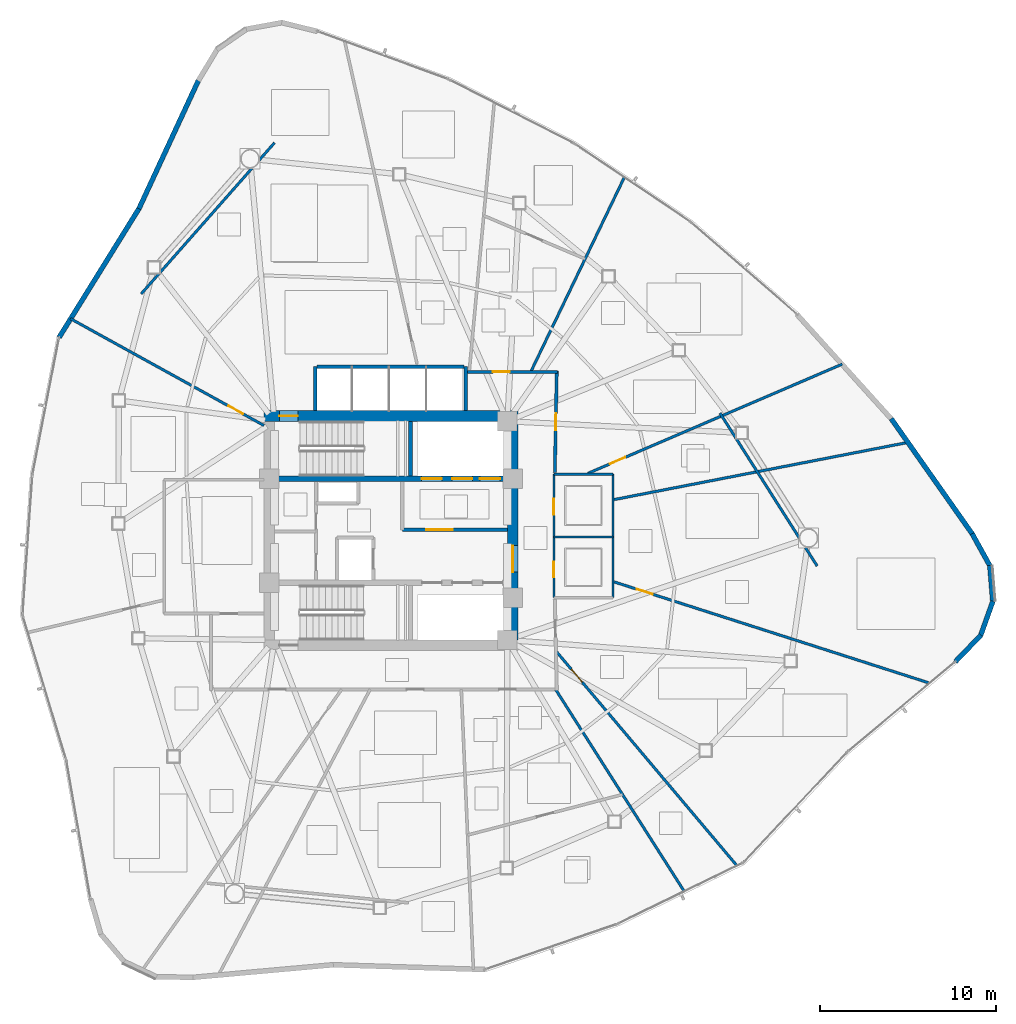
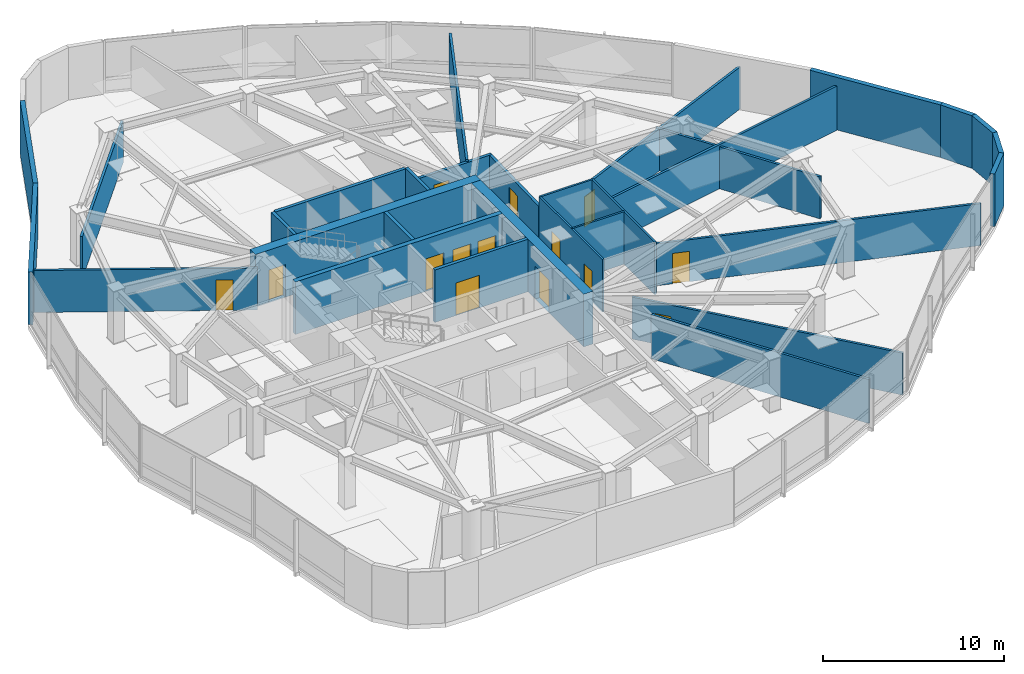
# One storey, part 12 of 17: 30 walls, 14 doors, 14 openings.
"""IFC4 building model written with IfcOpenShell, lengths in metres."""

from ifc_helpers import new_model, si_unit, direction, frame, frame_2d, origin, place, context, subcontext, project, spatial, rectangle, extrude, material, layer, layer_set, type_object, element, fill, save


model = new_model("IFC4")

# Units and contexts
model_context = context("Model", 3, precision=1e-05, world=origin(), true_north=direction((0.0, 1.0)))
body_context = subcontext(model_context, "Body", "Model", "MODEL_VIEW")
ifc_project = project(units=[si_unit("LENGTHUNIT", "METRE"), si_unit("AREAUNIT", "SQUARE_METRE"), si_unit("VOLUMEUNIT", "CUBIC_METRE"), si_unit("PLANEANGLEUNIT", "RADIAN"), si_unit("MASSUNIT", "GRAM", prefix="KILO")], contexts=[model_context])

# Site, building, storey
site_placement = place(None, origin())
site = spatial("IfcSite", under=ifc_project, at=site_placement, CompositionType="ELEMENT")
building_placement = place(site_placement, origin())
building = spatial("IfcBuilding", under=site, at=building_placement, Name="Tavelor Broadcast Tower", CompositionType="ELEMENT")
storey_placement = place(building_placement, frame((0.0, 0.0, 127.14990234375)))
storey = spatial("IfcBuildingStorey", under=building, at=storey_placement, Name="L29", CompositionType="ELEMENT", Elevation=127.14990234375)

# Wall, opening, door
ifc_material_1 = material(Name="Concrete C60/75", Category="concrete")
ifc_layer_1 = layer(ifc_material_1, 0.60009765625)
ifc_layer_set_1 = layer_set([ifc_layer_1], Name="Concrete C60/75")
wall_type_1 = type_object("IfcWallType", Name="Core Shear Wall 600 mm", PredefinedType="SHEAR", material=ifc_layer_set_1)
wall_1_placement = place(storey_placement, frame((42.800048828125, 51.5, 0.0), z_axis=(0.0, 0.0, 1.0), x_axis=(1.0, 0.0, 0.0)))
wall_1 = element("IfcWall", 1, at=wall_1_placement, inside=storey, type_object=wall_type_1, Name="L29 Central Core Shear Wall N", PredefinedType="SHEAR", context=body_context, shape_type="SweptSolid", body=[
    extrude(rectangle(XDim=14.39990234375, YDim=0.60009765625, at=frame_2d((7.199951171875, 0.0))), origin(), (0.0, 0.0, 1.0), 3.550048828125),
])
opening_1_placement = place(wall_1_placement, frame((0.8798828125, 0.0, 0.0)))
opening_1 = element("IfcOpeningElement", 2, at=opening_1_placement, cuts=wall_1, Name="Opening DR11", PredefinedType="OPENING", context=body_context, shape_type="SweptSolid", body=[
    extrude(rectangle(XDim=1.050048828125, YDim=2.199951171875, at=frame_2d((0.52490234375, 1.10009765625))), frame((0.0, 0.31005859375, 0.0), z_axis=(0.0, -1.0, 0.0), x_axis=(1.0, 0.0, 0.0)), (0.0, 0.0, 1.0), 0.6201171875),
])
ifc_material_2 = material(Name="Steel S355", Category="steel")
door_type_1 = type_object("IfcDoorType", Name="Stair Core Fire Escape Door 1050x2200", OperationType="NOTDEFINED", PredefinedType="DOOR", material=ifc_material_2)
door_1_placement = place(opening_1_placement, origin())
door_1 = element("IfcDoor", 3, at=door_1_placement, inside=storey, type_object=door_type_1, Name="L29 Stair ST1 Protected Exit Door", OperationType="SINGLE_SWING_LEFT", OverallHeight=2.199951171875, OverallWidth=1.050048828125, PredefinedType="DOOR", context=body_context, shape_type="SweptSolid", body=[
    extrude(rectangle(XDim=1.050048828125, YDim=2.199951171875, at=frame_2d((0.52490234375, 1.10009765625))), frame((0.0, 0.02490234375, 0.0), z_axis=(0.0, -1.0, 0.0), x_axis=(1.0, 0.0, 0.0)), (0.0, 0.0, 1.0), 0.050048828125),
])
fill(opening_1, door_1)

wall_2_placement = place(storey_placement, frame((56.89990234375, 38.800048828125, 0.0), z_axis=(0.0, 0.0, 1.0), x_axis=(0.0, 1.0, 0.0)))
wall_2 = element("IfcWall", 4, at=wall_2_placement, inside=storey, type_object=wall_type_1, Name="L29 Central Core Shear Wall E", PredefinedType="SHEAR", context=body_context, shape_type="SweptSolid", body=[
    extrude(rectangle(XDim=12.39990234375, YDim=0.60009765625, at=frame_2d((6.199951171875, 0.0))), origin(), (0.0, 0.0, 1.0), 3.550048828125),
])
opening_2_placement = place(wall_2_placement, frame((3.85009765625, 0.0, 0.0)))
opening_2 = element("IfcOpeningElement", 5, at=opening_2_placement, cuts=wall_2, Name="Opening DR14", PredefinedType="OPENING", context=body_context, shape_type="SweptSolid", body=[
    extrude(rectangle(XDim=1.5, YDim=2.199951171875, at=frame_2d((0.75, 1.10009765625))), frame((0.0, 0.31005859375, 0.0), z_axis=(0.0, -1.0, 0.0), x_axis=(1.0, 0.0, 0.0)), (0.0, 0.0, 1.0), 0.6201171875),
])
door_type_2 = type_object("IfcDoorType", Name="Firefighting Lobby Double Fire Door 1500x2200", OperationType="NOTDEFINED", PredefinedType="DOOR", material=ifc_material_2)
door_2_placement = place(opening_2_placement, origin())
door_2 = element("IfcDoor", 6, at=door_2_placement, inside=storey, type_object=door_type_2, Name="L29 Central Core Lobby Fire Door", OperationType="SINGLE_SWING_RIGHT", OverallHeight=2.199951171875, OverallWidth=1.5, PredefinedType="DOOR", context=body_context, shape_type="SweptSolid", body=[
    extrude(rectangle(XDim=1.5, YDim=2.199951171875, at=frame_2d((0.75, 1.10009765625))), frame((0.0, 0.02490234375, 0.0), z_axis=(0.0, -1.0, 0.0), x_axis=(1.0, 0.0, 0.0)), (0.0, 0.0, 1.0), 0.050048828125),
])
fill(opening_2, door_2)

# Wall, openings, doors
ifc_layer_2 = layer(ifc_material_1, 0.300048828125)
ifc_layer_set_2 = layer_set([ifc_layer_2], Name="Concrete C60/75")
wall_type_2 = type_object("IfcWallType", Name="Core Spine Shear Wall 300 mm C60", PredefinedType="SHEAR", material=ifc_layer_set_2)
wall_3_placement = place(storey_placement, frame((43.39990234375, 47.949951171875, 0.0), z_axis=(0.0, 0.0, 1.0), x_axis=(1.0, 0.0, 0.0)))
wall_3 = element("IfcWall", 7, at=wall_3_placement, inside=storey, type_object=wall_type_2, Name="L29 Central Core Shear Wall SP1", PredefinedType="SHEAR", context=body_context, shape_type="SweptSolid", body=[
    extrude(rectangle(XDim=13.2001953125, YDim=0.300048828125, at=frame_2d((6.60009765625, 0.0))), origin(), (0.0, 0.0, 1.0), 3.550048828125),
])
opening_3_placement = place(wall_3_placement, frame((8.344970703125, 0.0, 0.0)))
opening_3 = element("IfcOpeningElement", 8, at=opening_3_placement, cuts=wall_3, Name="Opening LD02", PredefinedType="OPENING", context=body_context, shape_type="SweptSolid", body=[
    extrude(rectangle(XDim=1.14990234375, YDim=2.199951171875, at=frame_2d((0.574951171875, 1.10009765625))), frame((0.0, 0.16015625, 0.0), z_axis=(0.0, -1.0, 0.0), x_axis=(1.0, 0.0, 0.0)), (0.0, 0.0, 1.0), 0.320068359375),
])
opening_4_placement = place(wall_3_placement, frame((10.06494140625, 0.0, 0.0)))
opening_4 = element("IfcOpeningElement", 9, at=opening_4_placement, cuts=wall_3, Name="Opening LD02", PredefinedType="OPENING", context=body_context, shape_type="SweptSolid", body=[
    extrude(rectangle(XDim=1.14990234375, YDim=2.199951171875, at=frame_2d((0.574951171875, 1.10009765625))), frame((0.0, 0.16015625, 0.0), z_axis=(0.0, -1.0, 0.0), x_axis=(1.0, 0.0, 0.0)), (0.0, 0.0, 1.0), 0.320068359375),
])
opening_5_placement = place(wall_3_placement, frame((11.64501953125, 0.0, 0.0)))
opening_5 = element("IfcOpeningElement", 10, at=opening_5_placement, cuts=wall_3, Name="Opening LD03", PredefinedType="OPENING", context=body_context, shape_type="SweptSolid", body=[
    extrude(rectangle(XDim=1.14990234375, YDim=2.199951171875, at=frame_2d((0.574951171875, 1.10009765625))), frame((0.0, 0.16015625, 0.0), z_axis=(0.0, -1.0, 0.0), x_axis=(1.0, 0.0, 0.0)), (0.0, 0.0, 1.0), 0.320068359375),
])
ifc_material_3 = material(Name="Reinforced Brushed Stainless Steel", Category="concrete")
door_type_3 = type_object("IfcDoorType", Name="Broadcast Goods Lift Sliding Landing Door 1250x2200", OperationType="NOTDEFINED", PredefinedType="DOOR", material=ifc_material_3)
door_3_placement = place(opening_5_placement, origin())
door_3 = element("IfcDoor", 11, at=door_3_placement, inside=storey, type_object=door_type_3, Name="L29 Lift SVL1 Sliding Landing Door", OperationType="SLIDING_TO_LEFT", OverallHeight=2.199951171875, OverallWidth=1.14990234375, PredefinedType="DOOR", context=body_context, shape_type="SweptSolid", body=[
    extrude(rectangle(XDim=1.14990234375, YDim=2.199951171875, at=frame_2d((0.574951171875, 1.10009765625))), frame((0.0, 0.02490234375, 0.0), z_axis=(0.0, -1.0, 0.0), x_axis=(1.0, 0.0, 0.0)), (0.0, 0.0, 1.0), 0.050048828125),
])
fill(opening_5, door_3)
ifc_material_4 = material(Name="Fire-Rated Stainless Steel", Category="steel")
door_type_4 = type_object("IfcDoorType", Name="Firefighting Lift Sliding Landing Door 1200x2200", OperationType="NOTDEFINED", PredefinedType="DOOR", material=ifc_material_4)
door_4_placement = place(opening_3_placement, origin())
door_4 = element("IfcDoor", 12, at=door_4_placement, inside=storey, type_object=door_type_4, Name="L29 Lift FFL1 Sliding Landing Door", OperationType="SLIDING_TO_LEFT", OverallHeight=2.199951171875, OverallWidth=1.14990234375, PredefinedType="DOOR", context=body_context, shape_type="SweptSolid", body=[
    extrude(rectangle(XDim=1.14990234375, YDim=2.199951171875, at=frame_2d((0.574951171875, 1.10009765625))), frame((0.0, 0.02490234375, 0.0), z_axis=(0.0, -1.0, 0.0), x_axis=(1.0, 0.0, 0.0)), (0.0, 0.0, 1.0), 0.050048828125),
])
fill(opening_3, door_4)
door_5_placement = place(opening_4_placement, origin())
door_5 = element("IfcDoor", 13, at=door_5_placement, inside=storey, type_object=door_type_4, Name="L29 Lift FFL2 Sliding Landing Door", OperationType="SLIDING_TO_LEFT", OverallHeight=2.199951171875, OverallWidth=1.14990234375, PredefinedType="DOOR", context=body_context, shape_type="SweptSolid", body=[
    extrude(rectangle(XDim=1.14990234375, YDim=2.199951171875, at=frame_2d((0.574951171875, 1.10009765625))), frame((0.0, 0.02490234375, 0.0), z_axis=(0.0, -1.0, 0.0), x_axis=(1.0, 0.0, 0.0)), (0.0, 0.0, 1.0), 0.050048828125),
])
fill(opening_4, door_5)

# Wall, opening, door
ifc_material_5 = material(Name="Calcium Silicate Fire Board 180 mm", Category="gypsum")
ifc_layer_3 = layer(ifc_material_5, 0.179931640625)
ifc_layer_set_3 = layer_set([ifc_layer_3], Name="Calcium Silicate Fire Board 180 mm")
wall_type_3 = type_object("IfcWallType", Name="Fire-Rated Corridor Partition Wall 180 mm", PredefinedType="PARTITIONING", material=ifc_layer_set_3)
wall_4_placement = place(storey_placement, frame((54.300048828125, 54.0, 0.0), z_axis=(0.0, 0.0, 1.0), x_axis=(1.0, 0.0, 0.0)))
wall_4 = element("IfcWall", 14, at=wall_4_placement, inside=storey, type_object=wall_type_3, Name="L29 Corridor Compartment Wall 01", PredefinedType="PARTITIONING", context=body_context, shape_type="SweptSolid", body=[
    extrude(rectangle(XDim=5.14990234375, YDim=0.179931640625, at=frame_2d((2.574951171875, 0.0))), origin(), (0.0, 0.0, 1.0), 2.835205078125),
])
opening_6_placement = place(wall_4_placement, frame((1.477294921875, 0.0, 0.0)))
opening_6 = element("IfcOpeningElement", 15, at=opening_6_placement, cuts=wall_4, Name="Opening DR18", PredefinedType="OPENING", context=body_context, shape_type="SweptSolid", body=[
    extrude(rectangle(XDim=0.949951171875, YDim=2.050048828125, at=frame_2d((0.47509765625, 1.02490234375))), frame((0.0, 0.10009765625, 0.0), z_axis=(0.0, -1.0, 0.0), x_axis=(1.0, 0.0, 0.0)), (0.0, 0.0, 1.0), 0.199951171875),
])
ifc_material_6 = material(Name="Timber Solid Core Hardwood", Category="wood")
door_type_5 = type_object("IfcDoorType", Name="Corridor Rated Compartment Door 950x2050", OperationType="NOTDEFINED", PredefinedType="DOOR", material=ifc_material_6)
door_6_placement = place(opening_6_placement, origin())
door_6 = element("IfcDoor", 16, at=door_6_placement, inside=storey, type_object=door_type_5, Name="L29 Studio Foley Workshop Door R14", OperationType="SINGLE_SWING_RIGHT", OverallHeight=2.050048828125, OverallWidth=0.949951171875, PredefinedType="DOOR", context=body_context, shape_type="SweptSolid", body=[
    extrude(rectangle(XDim=0.949951171875, YDim=2.050048828125, at=frame_2d((0.47509765625, 1.02490234375))), frame((0.0, 0.02490234375, 0.0), z_axis=(0.0, -1.0, 0.0), x_axis=(1.0, 0.0, 0.0)), (0.0, 0.0, 1.0), 0.050048828125),
])
fill(opening_6, door_6)

wall_5_placement = place(storey_placement, frame((59.40087890625, 54.050048828125, 0.0), z_axis=(0.0, 0.0, 1.0), x_axis=(-0.019103170983, -0.999817517779, 0.0)))
wall_5 = element("IfcWall", 17, at=wall_5_placement, inside=storey, type_object=wall_type_3, Name="L29 Corridor Compartment Wall 02", PredefinedType="PARTITIONING", context=body_context, shape_type="SweptSolid", body=[
    extrude(rectangle(XDim=5.7509765625, YDim=0.179931640625, at=frame_2d((2.87548828125, 0.0))), origin(), (0.0, 0.0, 1.0), 2.835205078125),
])
opening_7_placement = place(wall_5_placement, frame((2.400390625, 0.0, 0.0)))
opening_7 = element("IfcOpeningElement", 18, at=opening_7_placement, cuts=wall_5, Name="Opening DR18", PredefinedType="OPENING", context=body_context, shape_type="SweptSolid", body=[
    extrude(rectangle(XDim=0.949951171875, YDim=2.050048828125, at=frame_2d((0.47509765625, 1.02490234375))), frame((0.0, 0.10009765625, 0.0), z_axis=(0.0, -1.0, 0.0), x_axis=(1.0, 0.0, 0.0)), (0.0, 0.0, 1.0), 0.199951171875),
])
door_7_placement = place(opening_7_placement, origin())
door_7 = element("IfcDoor", 19, at=door_7_placement, inside=storey, type_object=door_type_5, Name="L29 Editorial Huddle Room Door R10", OperationType="SINGLE_SWING_LEFT", OverallHeight=2.050048828125, OverallWidth=0.949951171875, PredefinedType="DOOR", context=body_context, shape_type="SweptSolid", body=[
    extrude(rectangle(XDim=0.949951171875, YDim=2.050048828125, at=frame_2d((0.47509765625, 1.02490234375))), frame((0.0, 0.02490234375, 0.0), z_axis=(0.0, -1.0, 0.0), x_axis=(1.0, 0.0, 0.0)), (0.0, 0.0, 1.0), 0.050048828125),
])
fill(opening_7, door_7)

# Walls
ifc_material_7 = material(Name="Precast Concrete C40/50", Category="concrete")
ifc_layer_4 = layer(ifc_material_7, 0.280029296875)
ifc_layer_set_4 = layer_set([ifc_layer_4], Name="Precast Concrete C40/50")
wall_type_4 = type_object("IfcWallType", Name="Insulated Precast Terracotta Facade Wall 280 mm", PredefinedType="STANDARD", material=ifc_layer_set_4)
wall_6_placement = place(storey_placement, frame((39.0869140625, 70.5283203125, 0.0), z_axis=(0.0, 0.0, 1.0), x_axis=(-0.420650525929, -0.907222759324, 0.0)))
element("IfcWall", 20, at=wall_6_placement, inside=storey, type_object=wall_type_4, Name="L29 Rounded Corner Structural Cladding Pier 05", PredefinedType="STANDARD", context=body_context, shape_type="SweptSolid", body=[
    extrude(rectangle(XDim=8.01806640625, YDim=0.280029296875, at=frame_2d((4.009033203125, 0.0))), origin(), (0.0, 0.0, 1.0), 3.550048828125),
])
wall_7_placement = place(storey_placement, frame((35.728515625, 63.280517578125, 0.0), z_axis=(0.0, 0.0, 1.0), x_axis=(-0.526853741448, -0.849955960696, 0.0)))
element("IfcWall", 21, at=wall_7_placement, inside=storey, type_object=wall_type_4, Name="L29 Rounded Corner Structural Cladding Pier 06", PredefinedType="STANDARD", context=body_context, shape_type="SweptSolid", body=[
    extrude(rectangle(XDim=8.6201171875, YDim=0.280029296875, at=frame_2d((4.31005859375, 0.0))), origin(), (0.0, 0.0, 1.0), 3.550048828125),
])
wall_8_placement = place(storey_placement, frame((82.000244140625, 37.576171875, 0.0), z_axis=(0.0, 0.0, 1.0), x_axis=(0.694016075056, 0.719959504114, 0.0)))
element("IfcWall", 22, at=wall_8_placement, inside=storey, type_object=wall_type_4, Name="L29 Rounded Corner Structural Cladding Pier 21", PredefinedType="STANDARD", context=body_context, shape_type="SweptSolid", body=[
    extrude(rectangle(XDim=2.079833984375, YDim=0.280029296875, at=frame_2d((1.0400390625, 0.0))), origin(), (0.0, 0.0, 1.0), 3.550048828125),
])
for number, where, z_axis, x_axis, name in (
    (23, (83.42822265625, 39.048583984375, 0.0), (0.0, 0.0, 1.0), (0.336306485304, 0.941752593807, 0.0), "L29 Rounded Corner Structural Cladding Pier 22"),
    (24, (84.119873046875, 40.96728515625, 0.0), (0.0, 0.0, 1.0), (-0.081101141462, 0.996705876803, 0.0), "L29 Rounded Corner Structural Cladding Pier 23"),
):
    element("IfcWall", number, at=place(storey_placement, frame(where, z_axis=z_axis, x_axis=x_axis)), inside=storey, type_object=wall_type_4, Name=name, PredefinedType="STANDARD", context=body_context, shape_type="SweptSolid", body=[
        extrude(rectangle(XDim=2.068115234375, YDim=0.280029296875, at=frame_2d((1.0341796875, 0.0))), origin(), (0.0, 0.0, 1.0), 3.550048828125),
    ])
wall_9_placement = place(storey_placement, frame((83.960693359375, 43.00048828125, 0.0), z_axis=(0.0, 0.0, 1.0), x_axis=(-0.484055677681, 0.875037199726, 0.0)))
element("IfcWall", 25, at=wall_9_placement, inside=storey, type_object=wall_type_4, Name="L29 Rounded Corner Structural Cladding Pier 24", PredefinedType="STANDARD", context=body_context, shape_type="SweptSolid", body=[
    extrude(rectangle(XDim=2.090576171875, YDim=0.280029296875, at=frame_2d((1.04541015625, 0.0))), origin(), (0.0, 0.0, 1.0), 3.550048828125),
])
wall_10_placement = place(storey_placement, frame((82.964599609375, 44.804443359375, 0.0), z_axis=(0.0, 0.0, 1.0), x_axis=(-0.575334668423, 0.817918100613, 0.0)))
element("IfcWall", 26, at=wall_10_placement, inside=storey, type_object=wall_type_4, Name="L29 Rounded Corner Structural Cladding Pier 25", PredefinedType="STANDARD", context=body_context, shape_type="SweptSolid", body=[
    extrude(rectangle(XDim=8.0009765625, YDim=0.280029296875, at=frame_2d((4.00048828125, 0.0))), origin(), (0.0, 0.0, 1.0), 3.550048828125),
])
ifc_material_8 = material(Name="Gypsum Acoustic Plasterboard 150 mm", Category="gypsum")
ifc_layer_5 = layer(ifc_material_8, 0.14990234375)
ifc_layer_set_5 = layer_set([ifc_layer_5], Name="Gypsum Acoustic Plasterboard 150 mm")
wall_type_5 = type_object("IfcWallType", Name="Interior Acoustic Partition Wall 150 mm", PredefinedType="PARTITIONING", material=ifc_layer_set_5)
wall_11_placement = place(storey_placement, frame((43.399658203125, 66.988525390625, 0.0), z_axis=(0.0, 0.0, 1.0), x_axis=(-0.661622343701, -0.749837231881, 0.0)))
element("IfcWall", 27, at=wall_11_placement, inside=storey, type_object=wall_type_5, Name="L29 Corner Tube Brace Furring Wall 1", PredefinedType="PARTITIONING", context=body_context, shape_type="SweptSolid", body=[
    extrude(rectangle(XDim=11.42724609375, YDim=0.14990234375, at=frame_2d((5.713623046875, 0.0))), origin(), (0.0, 0.0, 1.0), 2.835205078125),
])
wall_12_placement = place(storey_placement, frame((74.16259765625, 42.9931640625, 0.0), z_axis=(0.0, 0.0, 1.0), x_axis=(-0.53628142437, 0.844039237166, 0.0)))
element("IfcWall", 28, at=wall_12_placement, inside=storey, type_object=wall_type_5, Name="L29 Corner Tube Brace Furring Wall 3", PredefinedType="PARTITIONING", context=body_context, shape_type="SweptSolid", body=[
    extrude(rectangle(XDim=10.266845703125, YDim=0.14990234375, at=frame_2d((5.13330078125, 0.0))), origin(), (0.0, 0.0, 1.0), 2.835205078125),
])
wall_13_placement = place(storey_placement, frame((59.33349609375, 36.0, 0.0), z_axis=(0.0, 0.0, 1.0), x_axis=(0.537304584645, -0.84338827554, 0.0)))
element("IfcWall", 29, at=wall_13_placement, inside=storey, type_object=wall_type_5, Name="L29 Radial Compartment Wall 01", PredefinedType="PARTITIONING", context=body_context, shape_type="SweptSolid", body=[
    extrude(rectangle(XDim=13.582763671875, YDim=0.14990234375, at=frame_2d((6.79150390625, 0.0))), origin(), (0.0, 0.0, 1.0), 2.97509765625),
])

# Wall, opening, door
wall_14_placement = place(storey_placement, frame((59.353515625, 38.176513671875, 0.0), z_axis=(0.0, 0.0, 1.0), x_axis=(0.644617104297, -0.764505584576, 0.0)))
wall_14 = element("IfcWall", 30, at=wall_14_placement, inside=storey, type_object=wall_type_5, Name="L29 Radial Compartment Wall 02", PredefinedType="PARTITIONING", context=body_context, shape_type="SweptSolid", body=[
    extrude(rectangle(XDim=15.9267578125, YDim=0.14990234375, at=frame_2d((7.96337890625, 0.0))), origin(), (0.0, 0.0, 1.0), 2.835205078125),
])
opening_8_placement = place(wall_14_placement, frame((1.35009765625, 0.0, 0.0)))
opening_8 = element("IfcOpeningElement", 31, at=opening_8_placement, cuts=wall_14, Name="Opening DR18", PredefinedType="OPENING", context=body_context, shape_type="SweptSolid", body=[
    extrude(rectangle(XDim=0.949951171875, YDim=2.050048828125, at=frame_2d((0.47509765625, 1.02490234375))), frame((0.0, 0.0849609375, 0.0), z_axis=(0.0, -1.0, 0.0), x_axis=(1.0, 0.0, 0.0)), (0.0, 0.0, 1.0), 0.169921875),
])
door_8_placement = place(opening_8_placement, origin())
door_8 = element("IfcDoor", 32, at=door_8_placement, inside=storey, type_object=door_type_5, Name="L29 Suite Connecting Door 1", OperationType="SINGLE_SWING_LEFT", OverallHeight=2.050048828125, OverallWidth=0.949951171875, PredefinedType="DOOR", context=body_context, shape_type="SweptSolid", body=[
    extrude(rectangle(XDim=0.949951171875, YDim=2.050048828125, at=frame_2d((0.47509765625, 1.02490234375))), frame((0.0, 0.02490234375, 0.0), z_axis=(0.0, -1.0, 0.0), x_axis=(1.0, 0.0, 0.0)), (0.0, 0.0, 1.0), 0.050048828125),
])
fill(opening_8, door_8)

wall_15_placement = place(storey_placement, frame((62.64990234375, 42.096435546875, 0.0), z_axis=(0.0, 0.0, 1.0), x_axis=(0.952197713862, -0.305482427834, 0.0)))
wall_15 = element("IfcWall", 33, at=wall_15_placement, inside=storey, type_object=wall_type_5, Name="L29 Radial Compartment Wall 03", PredefinedType="PARTITIONING", context=body_context, shape_type="SweptSolid", body=[
    extrude(rectangle(XDim=18.80029296875, YDim=0.14990234375, at=frame_2d((9.400146484375, 0.0))), origin(), (0.0, 0.0, 1.0), 2.835205078125),
])
opening_9_placement = place(wall_15_placement, frame((1.35009765625, 0.0, 0.0)))
opening_9 = element("IfcOpeningElement", 34, at=opening_9_placement, cuts=wall_15, Name="Opening DR18", PredefinedType="OPENING", context=body_context, shape_type="SweptSolid", body=[
    extrude(rectangle(XDim=0.949951171875, YDim=2.050048828125, at=frame_2d((0.47509765625, 1.02490234375))), frame((0.0, 0.0849609375, 0.0), z_axis=(0.0, -1.0, 0.0), x_axis=(1.0, 0.0, 0.0)), (0.0, 0.0, 1.0), 0.169921875),
])
door_9_placement = place(opening_9_placement, origin())
door_9 = element("IfcDoor", 35, at=door_9_placement, inside=storey, type_object=door_type_5, Name="L29 Suite Connecting Door 12", OperationType="SINGLE_SWING_RIGHT", OverallHeight=2.050048828125, OverallWidth=0.949951171875, PredefinedType="DOOR", context=body_context, shape_type="SweptSolid", body=[
    extrude(rectangle(XDim=0.949951171875, YDim=2.050048828125, at=frame_2d((0.47509765625, 1.02490234375))), frame((0.0, 0.02490234375, 0.0), z_axis=(0.0, -1.0, 0.0), x_axis=(1.0, 0.0, 0.0)), (0.0, 0.0, 1.0), 0.050048828125),
])
fill(opening_9, door_9)

# Wall
wall_16_placement = place(storey_placement, frame((62.64990234375, 46.760498046875, 0.0), z_axis=(0.0, 0.0, 1.0), x_axis=(0.981595107756, 0.190973936517, 0.0)))
element("IfcWall", 36, at=wall_16_placement, inside=storey, type_object=wall_type_5, Name="L29 Radial Compartment Wall 04", PredefinedType="PARTITIONING", context=body_context, shape_type="SweptSolid", body=[
    extrude(rectangle(XDim=16.982177734375, YDim=0.14990234375, at=frame_2d((8.4912109375, 0.0))), origin(), (0.0, 0.0, 1.0), 2.97509765625),
])

# Wall, opening, door
wall_17_placement = place(storey_placement, frame((61.16943359375, 48.25, 0.0), z_axis=(0.0, 0.0, 1.0), x_axis=(0.918885604768, 0.394524074488, 0.0)))
wall_17 = element("IfcWall", 37, at=wall_17_placement, inside=storey, type_object=wall_type_5, Name="L29 Radial Compartment Wall 05", PredefinedType="PARTITIONING", context=body_context, shape_type="SweptSolid", body=[
    extrude(rectangle(XDim=15.68603515625, YDim=0.14990234375, at=frame_2d((7.843017578125, 0.0))), origin(), (0.0, 0.0, 1.0), 2.835205078125),
])
opening_10_placement = place(wall_17_placement, frame((1.35009765625, 0.0, 0.0)))
opening_10 = element("IfcOpeningElement", 38, at=opening_10_placement, cuts=wall_17, Name="Opening DR18", PredefinedType="OPENING", context=body_context, shape_type="SweptSolid", body=[
    extrude(rectangle(XDim=0.949951171875, YDim=2.050048828125, at=frame_2d((0.47509765625, 1.02490234375))), frame((0.0, 0.0849609375, 0.0), z_axis=(0.0, -1.0, 0.0), x_axis=(1.0, 0.0, 0.0)), (0.0, 0.0, 1.0), 0.169921875),
])
door_10_placement = place(opening_10_placement, origin())
door_10 = element("IfcDoor", 39, at=door_10_placement, inside=storey, type_object=door_type_5, Name="L29 Suite Connecting Door 11", OperationType="SINGLE_SWING_LEFT", OverallHeight=2.050048828125, OverallWidth=0.949951171875, PredefinedType="DOOR", context=body_context, shape_type="SweptSolid", body=[
    extrude(rectangle(XDim=0.949951171875, YDim=2.050048828125, at=frame_2d((0.47509765625, 1.02490234375))), frame((0.0, 0.02490234375, 0.0), z_axis=(0.0, -1.0, 0.0), x_axis=(1.0, 0.0, 0.0)), (0.0, 0.0, 1.0), 0.050048828125),
])
fill(opening_10, door_10)

# Wall
wall_18_placement = place(storey_placement, frame((57.92724609375, 54.0, 0.0), z_axis=(0.0, 0.0, 1.0), x_axis=(0.433312802005, 0.901243593941, 0.0)))
element("IfcWall", 40, at=wall_18_placement, inside=storey, type_object=wall_type_5, Name="L29 Radial Compartment Wall 06", PredefinedType="PARTITIONING", context=body_context, shape_type="SweptSolid", body=[
    extrude(rectangle(XDim=12.25, YDim=0.14990234375, at=frame_2d((6.125, 0.0))), origin(), (0.0, 0.0, 1.0), 2.97509765625),
])

# Wall, opening, door
wall_19_placement = place(storey_placement, frame((42.800048828125, 50.962890625, 0.0), z_axis=(0.0, 0.0, 1.0), x_axis=(-0.875434937419, 0.483335980811, 0.0)))
wall_19 = element("IfcWall", 41, at=wall_19_placement, inside=storey, type_object=wall_type_5, Name="L29 Radial Compartment Wall 09", PredefinedType="PARTITIONING", context=body_context, shape_type="SweptSolid", body=[
    extrude(rectangle(XDim=12.52587890625, YDim=0.14990234375, at=frame_2d((6.262939453125, 0.0))), origin(), (0.0, 0.0, 1.0), 2.835205078125),
])
opening_11_placement = place(wall_19_placement, frame((1.35009765625, 0.0, 0.0)))
opening_11 = element("IfcOpeningElement", 42, at=opening_11_placement, cuts=wall_19, Name="Opening DR18", PredefinedType="OPENING", context=body_context, shape_type="SweptSolid", body=[
    extrude(rectangle(XDim=0.949951171875, YDim=2.050048828125, at=frame_2d((0.47509765625, 1.02490234375))), frame((0.0, 0.0849609375, 0.0), z_axis=(0.0, -1.0, 0.0), x_axis=(1.0, 0.0, 0.0)), (0.0, 0.0, 1.0), 0.169921875),
])
door_11_placement = place(opening_11_placement, origin())
door_11 = element("IfcDoor", 43, at=door_11_placement, inside=storey, type_object=door_type_5, Name="L29 Suite Connecting Door 7", OperationType="SINGLE_SWING_LEFT", OverallHeight=2.050048828125, OverallWidth=0.949951171875, PredefinedType="DOOR", context=body_context, shape_type="SweptSolid", body=[
    extrude(rectangle(XDim=0.949951171875, YDim=2.050048828125, at=frame_2d((0.47509765625, 1.02490234375))), frame((0.0, 0.02490234375, 0.0), z_axis=(0.0, -1.0, 0.0), x_axis=(1.0, 0.0, 0.0)), (0.0, 0.0, 1.0), 0.050048828125),
])
fill(opening_11, door_11)

# Walls
ifc_material_9 = material(Name="Concrete Blockwork 200 mm", Category="masonry")
ifc_layer_6 = layer(ifc_material_9, 0.199951171875)
ifc_layer_set_6 = layer_set([ifc_layer_6], Name="Concrete Blockwork 200 mm")
wall_type_6 = type_object("IfcWallType", Name="Lift Hoistway Rated Front Wall 200 mm", PredefinedType="PARTITIONING", material=ifc_layer_set_6)
wall_20_placement = place(storey_placement, frame((45.820068359375, 54.300048828125, 0.0), z_axis=(0.0, 0.0, 1.0), x_axis=(1.0, 0.0, 0.0)))
element("IfcWall", 44, at=wall_20_placement, inside=storey, type_object=wall_type_6, Name="L29 High-Rise Lift Hoistway Front Wall", PredefinedType="PARTITIONING", context=body_context, shape_type="SweptSolid", body=[
    extrude(rectangle(XDim=8.309814453125, YDim=0.199951171875, at=frame_2d((4.15478515625, 0.0))), origin(), (0.0, 0.0, 1.0), 3.550048828125),
])
ifc_layer_7 = layer(ifc_material_9, 0.199951171875)
ifc_layer_set_7 = layer_set([ifc_layer_7], Name="Concrete Blockwork 200 mm")
wall_type_7 = type_object("IfcWallType", Name="Lift and Riser Shaft Enclosure Wall 200 mm", PredefinedType="PARTITIONING", material=ifc_layer_set_7)
for number, where, z_axis, x_axis, name in (
    (45, (45.699951171875, 51.800048828125, 0.0), (0.0, 0.0, 1.0), (0.0, 1.0, 0.0), "L29 High-Rise Lift Shaft West Wall"),
    (46, (54.25, 51.800048828125, 0.0), (0.0, 0.0, 1.0), (0.0, 1.0, 0.0), "L29 High-Rise Lift Shaft East Wall"),
):
    element("IfcWall", number, at=place(storey_placement, frame(where, z_axis=z_axis, x_axis=x_axis)), inside=storey, type_object=wall_type_7, Name=name, PredefinedType="PARTITIONING", context=body_context, shape_type="SweptSolid", body=[
        extrude(rectangle(XDim=2.5, YDim=0.199951171875, at=frame_2d((1.25, 0.0))), origin(), (0.0, 0.0, 1.0), 3.550048828125),
    ])

# Wall, opening, door
wall_21_placement = place(storey_placement, frame((50.64990234375, 45.050048828125, 0.0), z_axis=(0.0, 0.0, 1.0), x_axis=(1.0, 0.0, 0.0)))
wall_21 = element("IfcWall", 47, at=wall_21_placement, inside=storey, type_object=wall_type_7, Name="L29 Firefighting Lobby South Wall", PredefinedType="PARTITIONING", context=body_context, shape_type="SweptSolid", body=[
    extrude(rectangle(XDim=5.9501953125, YDim=0.199951171875, at=frame_2d((2.97509765625, 0.0))), origin(), (0.0, 0.0, 1.0), 3.550048828125),
])
opening_12_placement = place(wall_21_placement, frame((1.35009765625, 0.0, 0.0)))
opening_12 = element("IfcOpeningElement", 48, at=opening_12_placement, cuts=wall_21, Name="Opening DR14", PredefinedType="OPENING", context=body_context, shape_type="SweptSolid", body=[
    extrude(rectangle(XDim=1.5, YDim=2.199951171875, at=frame_2d((0.75, 1.10009765625))), frame((0.0, 0.10986328125, 0.0), z_axis=(0.0, -1.0, 0.0), x_axis=(1.0, 0.0, 0.0)), (0.0, 0.0, 1.0), 0.219970703125),
])
door_12_placement = place(opening_12_placement, origin())
door_12 = element("IfcDoor", 49, at=door_12_placement, inside=storey, type_object=door_type_2, Name="L29 Firefighting Lobby Compartment Door", OperationType="SINGLE_SWING_LEFT", OverallHeight=2.199951171875, OverallWidth=1.5, PredefinedType="DOOR", context=body_context, shape_type="SweptSolid", body=[
    extrude(rectangle(XDim=1.5, YDim=2.199951171875, at=frame_2d((0.75, 1.10009765625))), frame((0.0, 0.02490234375, 0.0), z_axis=(0.0, -1.0, 0.0), x_axis=(1.0, 0.0, 0.0)), (0.0, 0.0, 1.0), 0.050048828125),
])
fill(opening_12, door_12)

# Wall, openings, doors
ifc_material_10 = material(Name="Moisture-Resistant Plasterboard 120 mm", Category="gypsum")
ifc_layer_8 = layer(ifc_material_10, 0.1201171875)
ifc_layer_set_8 = layer_set([ifc_layer_8], Name="Moisture-Resistant Plasterboard 120 mm")
wall_type_8 = type_object("IfcWallType", Name="Moisture-Resistant Wet-Room Partition 120 mm", PredefinedType="PARTITIONING", material=ifc_layer_set_8)
wall_22_placement = place(storey_placement, frame((59.239990234375, 41.199951171875, 0.0), z_axis=(0.0, 0.0, 1.0), x_axis=(0.0, 1.0, 0.0)))
wall_22 = element("IfcWall", 50, at=wall_22_placement, inside=storey, type_object=wall_type_8, Name="L29 Floor Washrooms West Wall", PredefinedType="PARTITIONING", context=body_context, shape_type="SweptSolid", body=[
    extrude(rectangle(XDim=7.0, YDim=0.1201171875, at=frame_2d((3.5, 0.0))), origin(), (0.0, 0.0, 1.0), 3.550048828125),
])
opening_13_placement = place(wall_22_placement, frame((1.14990234375, 0.0, 0.0)))
opening_13 = element("IfcOpeningElement", 51, at=opening_13_placement, cuts=wall_22, Name="Opening DR32", PredefinedType="OPENING", context=body_context, shape_type="SweptSolid", body=[
    extrude(rectangle(XDim=0.89990234375, YDim=2.050048828125, at=frame_2d((0.449951171875, 1.02490234375))), frame((0.0, 0.070068359375, 0.0), z_axis=(0.0, -1.0, 0.0), x_axis=(1.0, 0.0, 0.0)), (0.0, 0.0, 1.0), 0.14013671875),
])
opening_14_placement = place(wall_22_placement, frame((4.699951171875, 0.0, 0.0)))
opening_14 = element("IfcOpeningElement", 52, at=opening_14_placement, cuts=wall_22, Name="Opening DR32", PredefinedType="OPENING", context=body_context, shape_type="SweptSolid", body=[
    extrude(rectangle(XDim=0.89990234375, YDim=2.050048828125, at=frame_2d((0.449951171875, 1.02490234375))), frame((0.0, 0.070068359375, 0.0), z_axis=(0.0, -1.0, 0.0), x_axis=(1.0, 0.0, 0.0)), (0.0, 0.0, 1.0), 0.14013671875),
])
door_type_6 = type_object("IfcDoorType", Name="Accessible Washroom Door 900x2050", OperationType="NOTDEFINED", PredefinedType="DOOR", material=ifc_material_6)
door_13_placement = place(opening_13_placement, origin())
door_13 = element("IfcDoor", 53, at=door_13_placement, inside=storey, type_object=door_type_6, Name="L29 Accessible WC Door", OperationType="SINGLE_SWING_LEFT", OverallHeight=2.050048828125, OverallWidth=0.89990234375, PredefinedType="DOOR", context=body_context, shape_type="SweptSolid", body=[
    extrude(rectangle(XDim=0.89990234375, YDim=2.050048828125, at=frame_2d((0.449951171875, 1.02490234375))), frame((0.0, 0.02490234375, 0.0), z_axis=(0.0, -1.0, 0.0), x_axis=(1.0, 0.0, 0.0)), (0.0, 0.0, 1.0), 0.050048828125),
])
fill(opening_13, door_13)
door_14_placement = place(opening_14_placement, origin())
door_14 = element("IfcDoor", 54, at=door_14_placement, inside=storey, type_object=door_type_6, Name="L29 Staff Washroom WC Door", OperationType="SINGLE_SWING_RIGHT", OverallHeight=2.050048828125, OverallWidth=0.89990234375, PredefinedType="DOOR", context=body_context, shape_type="SweptSolid", body=[
    extrude(rectangle(XDim=0.89990234375, YDim=2.050048828125, at=frame_2d((0.449951171875, 1.02490234375))), frame((0.0, 0.02490234375, 0.0), z_axis=(0.0, -1.0, 0.0), x_axis=(1.0, 0.0, 0.0)), (0.0, 0.0, 1.0), 0.050048828125),
])
fill(opening_14, door_14)

# Walls
for number, where, z_axis, x_axis, name in (
    (55, (59.239990234375, 44.64990234375, 0.0), (0.0, 0.0, 1.0), (1.0, 0.0, 0.0), "L29 Floor Washrooms Divider Wall"),
    (56, (59.239990234375, 48.199951171875, 0.0), (0.0, 0.0, 1.0), (1.0, 0.0, 0.0), "L29 Floor Washrooms North Wall"),
):
    element("IfcWall", number, at=place(storey_placement, frame(where, z_axis=z_axis, x_axis=x_axis)), inside=storey, type_object=wall_type_8, Name=name, PredefinedType="PARTITIONING", context=body_context, shape_type="SweptSolid", body=[
        extrude(rectangle(XDim=3.340087890625, YDim=0.1201171875, at=frame_2d((1.669921875, 0.0))), origin(), (0.0, 0.0, 1.0), 3.550048828125),
    ])
wall_23_placement = place(storey_placement, frame((62.580078125, 41.199951171875, 0.0), z_axis=(0.0, 0.0, 1.0), x_axis=(0.0, 1.0, 0.0)))
element("IfcWall", 57, at=wall_23_placement, inside=storey, type_object=wall_type_8, Name="L29 Floor Washrooms East Wall", PredefinedType="PARTITIONING", context=body_context, shape_type="SweptSolid", body=[
    extrude(rectangle(XDim=7.0, YDim=0.1201171875, at=frame_2d((3.5, 0.0))), origin(), (0.0, 0.0, 1.0), 3.550048828125),
])
ifc_material_11 = material(Name="Concrete C40/50", Category="concrete")
ifc_layer_9 = layer(ifc_material_11, 0.219970703125)
ifc_layer_set_9 = layer_set([ifc_layer_9], Name="Concrete C40/50")
wall_type_9 = type_object("IfcWallType", Name="Structural Stairwell Shear Wall 220 mm", PredefinedType="SHEAR", material=ifc_layer_set_9)
wall_24_placement = place(storey_placement, frame((51.110107421875, 48.10009765625, 0.0), z_axis=(0.0, 0.0, 1.0), x_axis=(0.0, 1.0, 0.0)))
element("IfcWall", 58, at=wall_24_placement, inside=storey, type_object=wall_type_9, Name="L29 Stair ST1 Structural Shaft Wall", PredefinedType="SHEAR", context=body_context, shape_type="SweptSolid", body=[
    extrude(rectangle(XDim=3.099853515625, YDim=0.219970703125, at=frame_2d((1.5498046875, 0.0))), origin(), (0.0, 0.0, 1.0), 3.550048828125),
])

save(model, "model.ifc")
